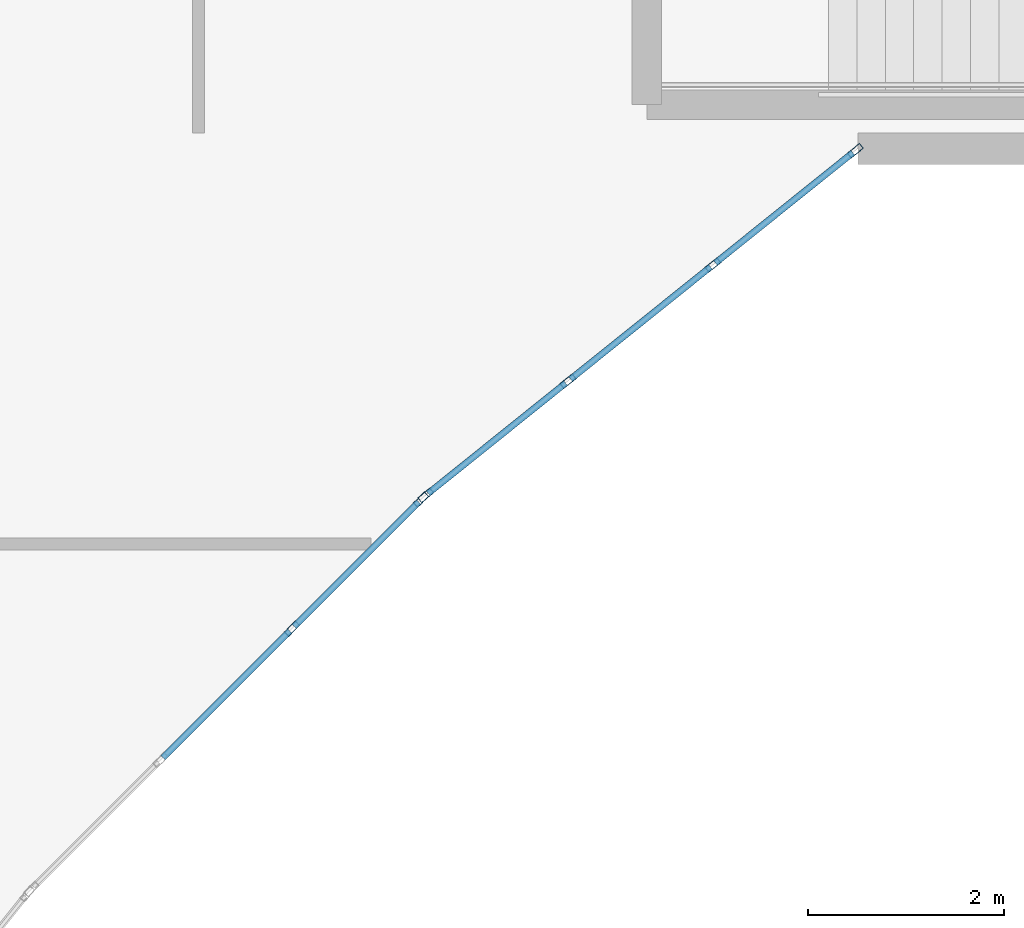
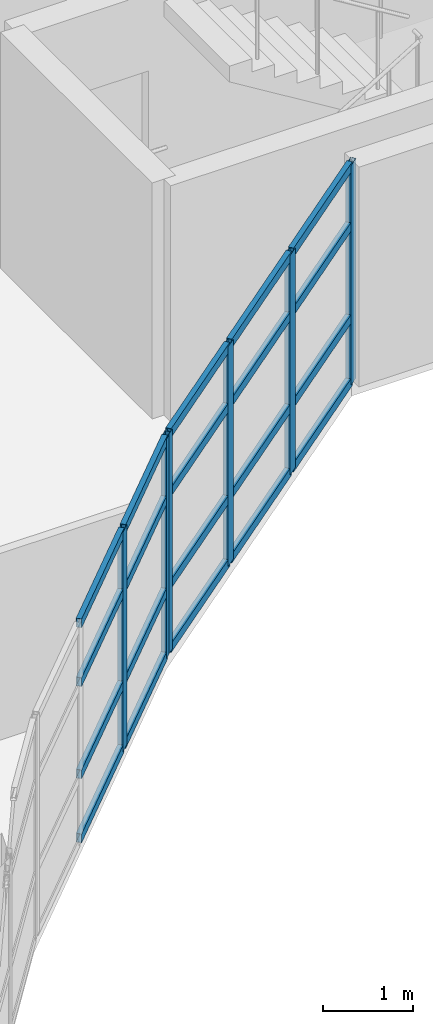
# One storey, part 16 of 71: 26 members, 2 elements without a shape of their own.
"""IFC4 building model written with IfcOpenShell, lengths in metres."""

from ifc_helpers import new_model, si_unit, direction, frame, origin, origin_2d, place, context, subcontext, project, spatial, hollow_rectangle, extrude, material, layer, layer_set, material_profile, profile_set, type_object, element, aggregate, save


model = new_model("IFC4")

# Units and contexts
model_context = context("Model", 3, precision=1e-05, world=origin(), true_north=direction((0.0, 1.0)))
body_context = subcontext(model_context, "Body", "Model", "MODEL_VIEW")
ifc_project = project(units=[si_unit("LENGTHUNIT", "METRE"), si_unit("AREAUNIT", "SQUARE_METRE"), si_unit("VOLUMEUNIT", "CUBIC_METRE"), si_unit("PLANEANGLEUNIT", "RADIAN"), si_unit("MASSUNIT", "GRAM", prefix="KILO")], contexts=[model_context])

# Site, building, storey
site_placement = place(None, origin())
site = spatial("IfcSite", under=ifc_project, at=site_placement, CompositionType="ELEMENT")
building_placement = place(site_placement, origin())
building = spatial("IfcBuilding", under=site, at=building_placement, Name="Keldmere Railside Commons", CompositionType="ELEMENT")
storey_placement = place(building_placement, frame((0.0, 0.0, 20.159912109375)))
storey = spatial("IfcBuildingStorey", under=building, at=storey_placement, Name="L06", CompositionType="ELEMENT", Elevation=20.159912109375)

# Curtain wall, members
ifc_material = material(Name="Thermally Broken Aluminium", Category="aluminium")
ifc_layer_1 = layer(ifc_material, 0.159912109375, Name="Court Chord Wintergarden CW 5400x2850")
ifc_layer_set_1 = layer_set([ifc_layer_1], Name="Thermally Broken Aluminium")
curtain_wall_type_1 = type_object("IfcCurtainWallType", Name="Court Chord Wintergarden CW 5400x2850", PredefinedType="NOTDEFINED", material=ifc_layer_set_1)
curtain_wall_1_placement = place(storey_placement, origin())
curtain_wall_1 = element("IfcCurtainWall", 1, at=curtain_wall_1_placement, inside=storey, type_object=curtain_wall_type_1, Name="CW-13 CW-L06-122", PredefinedType="NOTDEFINED")
ifc_material_profile_1 = material_profile(ifc_material, hollow_rectangle(XDim=0.06494140625, YDim=0.159912109375, WallThickness=0.00390625, at=origin_2d()), Name="ALU-MULL-65x160")
ifc_profile_set_1 = profile_set([ifc_material_profile_1], Name="Thermally Broken Aluminium")
member_type_1 = type_object("IfcMemberType", Name="Unitised Curtain Wall Mullion 65x160", PredefinedType="MULLION", material=ifc_profile_set_1)
member_1_placement = place(storey_placement, frame((127.547119140625, 96.423095703125, 0.0), z_axis=(0.0, 0.0, 1.0), x_axis=(0.707106781187, -0.707106781187, 0.0)))
member_1 = element("IfcMember", 2, at=member_1_placement, type_object=member_type_1, Name="CW-13 mullion 1", PredefinedType="MULLION", context=body_context, shape_type="SweptSolid", body=[
    extrude(hollow_rectangle(XDim=0.06494140625, YDim=0.159912109375, WallThickness=0.00390625, at=origin_2d()), origin(), (0.0, 0.0, 1.0), 2.97998046875),
])
member_2_placement = place(storey_placement, frame((126.2314453125, 95.107421875, 0.0), z_axis=(0.0, 0.0, 1.0), x_axis=(0.707106781187, -0.707106781187, 0.0)))
member_2 = element("IfcMember", 3, at=member_2_placement, type_object=member_type_1, Name="CW-13 mullion 2", PredefinedType="MULLION", context=body_context, shape_type="SweptSolid", body=[
    extrude(hollow_rectangle(XDim=0.06494140625, YDim=0.159912109375, WallThickness=0.00390625, at=origin_2d()), origin(), (0.0, 0.0, 1.0), 2.97998046875),
])

ifc_layer_2 = layer(ifc_material, 0.159912109375, Name="Court Chord Wintergarden CW 4800x2850")
ifc_layer_set_2 = layer_set([ifc_layer_2], Name="Thermally Broken Aluminium")
curtain_wall_type_2 = type_object("IfcCurtainWallType", Name="Court Chord Wintergarden CW 4800x2850", PredefinedType="NOTDEFINED", material=ifc_layer_set_2)
curtain_wall_2_placement = place(storey_placement, origin())
curtain_wall_2 = element("IfcCurtainWall", 4, at=curtain_wall_2_placement, inside=storey, type_object=curtain_wall_type_2, Name="CW-12 CW-L06-123", PredefinedType="NOTDEFINED")
member_3_placement = place(storey_placement, frame((131.974609375, 99.979736328125, 0.0), z_axis=(0.0, 0.0, 1.0), x_axis=(0.625768080915, -0.780009172323, 0.0)))
member_3 = element("IfcMember", 5, at=member_3_placement, type_object=member_type_1, Name="CW-12 mullion 1", PredefinedType="MULLION", context=body_context, shape_type="SweptSolid", body=[
    extrude(hollow_rectangle(XDim=0.06494140625, YDim=0.159912109375, WallThickness=0.00390625, at=origin_2d()), origin(), (0.0, 0.0, 1.0), 2.97998046875),
])
member_4_placement = place(storey_placement, frame((130.5234375, 98.8154296875, 0.0), z_axis=(0.0, 0.0, 1.0), x_axis=(0.625768080915, -0.780009172323, 0.0)))
member_4 = element("IfcMember", 6, at=member_4_placement, type_object=member_type_1, Name="CW-12 mullion 2", PredefinedType="MULLION", context=body_context, shape_type="SweptSolid", body=[
    extrude(hollow_rectangle(XDim=0.06494140625, YDim=0.159912109375, WallThickness=0.00390625, at=origin_2d()), origin(), (0.0, 0.0, 1.0), 2.97998046875),
])
member_5_placement = place(storey_placement, frame((129.046630859375, 97.630615234375, 0.0), z_axis=(0.0, 0.0, 1.0), x_axis=(0.625768080915, -0.780009172323, 0.0)))
member_5 = element("IfcMember", 7, at=member_5_placement, type_object=member_type_1, Name="CW-12 mullion 3", PredefinedType="MULLION", context=body_context, shape_type="SweptSolid", body=[
    extrude(hollow_rectangle(XDim=0.06494140625, YDim=0.159912109375, WallThickness=0.00390625, at=origin_2d()), origin(), (0.0, 0.0, 1.0), 2.97998046875),
])
member_6_placement = place(storey_placement, frame((127.595458984375, 96.46630859375, 0.0), z_axis=(0.0, 0.0, 1.0), x_axis=(0.625768080915, -0.780009172323, 0.0)))
member_6 = element("IfcMember", 8, at=member_6_placement, type_object=member_type_1, Name="CW-12 mullion 4", PredefinedType="MULLION", context=body_context, shape_type="SweptSolid", body=[
    extrude(hollow_rectangle(XDim=0.06494140625, YDim=0.159912109375, WallThickness=0.00390625, at=origin_2d()), origin(), (0.0, 0.0, 1.0), 2.97998046875),
])

# Member
ifc_material_profile_2 = material_profile(ifc_material, hollow_rectangle(XDim=0.06494140625, YDim=0.1201171875, WallThickness=0.00390625, at=origin_2d()), Name="ALU-TRAN-65x120")
ifc_profile_set_2 = profile_set([ifc_material_profile_2], Name="Thermally Broken Aluminium")
member_type_2 = type_object("IfcMemberType", Name="Unitised Curtain Wall Transom 65x120", PredefinedType="USERDEFINED", material=ifc_profile_set_2)
member_7_placement = place(storey_placement, frame((127.52392578125, 96.400146484375, 0.032470703125), z_axis=(-0.707038793419, -0.707174762418, 0.0), x_axis=(0.707174762418, -0.707038793419, 0.0)))
member_7 = element("IfcMember", 9, at=member_7_placement, type_object=member_type_2, Name="CW-13 transom 1.1", ObjectType="TRANSOM", PredefinedType="USERDEFINED", context=body_context, shape_type="SweptSolid", body=[
    extrude(hollow_rectangle(XDim=0.06494140625, YDim=0.1201171875, WallThickness=0.00390625, at=origin_2d()), origin(), (0.0, 0.0, 1.0), 1.795654296875),
])

member_8_placement = place(storey_placement, frame((127.52392578125, 96.400146484375, 0.900146484375), z_axis=(-0.707038793419, -0.707174762418, 0.0), x_axis=(0.707174762418, -0.707038793419, 0.0)))
member_8 = element("IfcMember", 10, at=member_8_placement, type_object=member_type_2, Name="CW-13 transom 1.2", ObjectType="TRANSOM", PredefinedType="USERDEFINED", context=body_context, shape_type="SweptSolid", body=[
    extrude(hollow_rectangle(XDim=0.06494140625, YDim=0.1201171875, WallThickness=0.00390625, at=origin_2d()), origin(), (0.0, 0.0, 1.0), 1.795654296875),
])

member_9_placement = place(storey_placement, frame((127.52392578125, 96.400146484375, 2.150146484375), z_axis=(-0.707038793419, -0.707174762418, 0.0), x_axis=(0.707174762418, -0.707038793419, 0.0)))
member_9 = element("IfcMember", 11, at=member_9_placement, type_object=member_type_2, Name="CW-13 transom 1.3", ObjectType="TRANSOM", PredefinedType="USERDEFINED", context=body_context, shape_type="SweptSolid", body=[
    extrude(hollow_rectangle(XDim=0.06494140625, YDim=0.1201171875, WallThickness=0.00390625, at=origin_2d()), origin(), (0.0, 0.0, 1.0), 1.795654296875),
])

member_10_placement = place(storey_placement, frame((127.52392578125, 96.400146484375, 2.947509765625), z_axis=(-0.707038793419, -0.707174762418, 0.0), x_axis=(0.707174762418, -0.707038793419, 0.0)))
member_10 = element("IfcMember", 12, at=member_10_placement, type_object=member_type_2, Name="CW-13 transom 1.4", ObjectType="TRANSOM", PredefinedType="USERDEFINED", context=body_context, shape_type="SweptSolid", body=[
    extrude(hollow_rectangle(XDim=0.06494140625, YDim=0.1201171875, WallThickness=0.00390625, at=origin_2d()), origin(), (0.0, 0.0, 1.0), 1.795654296875),
])

member_11_placement = place(storey_placement, frame((126.208251953125, 95.08447265625, 0.032470703125), z_axis=(-0.707106781187, -0.707106781187, 0.0), x_axis=(0.707106781187, -0.707106781187, 0.0)))
member_11 = element("IfcMember", 13, at=member_11_placement, type_object=member_type_2, Name="CW-13 transom 2.1", ObjectType="TRANSOM", PredefinedType="USERDEFINED", context=body_context, shape_type="SweptSolid", body=[
    extrude(hollow_rectangle(XDim=0.06494140625, YDim=0.1201171875, WallThickness=0.00390625, at=origin_2d()), origin(), (0.0, 0.0, 1.0), 1.828125),
])

member_12_placement = place(storey_placement, frame((126.208251953125, 95.08447265625, 0.900146484375), z_axis=(-0.707106781187, -0.707106781187, 0.0), x_axis=(0.707106781187, -0.707106781187, 0.0)))
member_12 = element("IfcMember", 14, at=member_12_placement, type_object=member_type_2, Name="CW-13 transom 2.2", ObjectType="TRANSOM", PredefinedType="USERDEFINED", context=body_context, shape_type="SweptSolid", body=[
    extrude(hollow_rectangle(XDim=0.06494140625, YDim=0.1201171875, WallThickness=0.00390625, at=origin_2d()), origin(), (0.0, 0.0, 1.0), 1.828125),
])

member_13_placement = place(storey_placement, frame((126.208251953125, 95.08447265625, 2.150146484375), z_axis=(-0.707106781187, -0.707106781187, 0.0), x_axis=(0.707106781187, -0.707106781187, 0.0)))
member_13 = element("IfcMember", 15, at=member_13_placement, type_object=member_type_2, Name="CW-13 transom 2.3", ObjectType="TRANSOM", PredefinedType="USERDEFINED", context=body_context, shape_type="SweptSolid", body=[
    extrude(hollow_rectangle(XDim=0.06494140625, YDim=0.1201171875, WallThickness=0.00390625, at=origin_2d()), origin(), (0.0, 0.0, 1.0), 1.828125),
])

member_14_placement = place(storey_placement, frame((126.208251953125, 95.08447265625, 2.947509765625), z_axis=(-0.707106781187, -0.707106781187, 0.0), x_axis=(0.707106781187, -0.707106781187, 0.0)))
member_14 = element("IfcMember", 16, at=member_14_placement, type_object=member_type_2, Name="CW-13 transom 2.4", ObjectType="TRANSOM", PredefinedType="USERDEFINED", context=body_context, shape_type="SweptSolid", body=[
    extrude(hollow_rectangle(XDim=0.06494140625, YDim=0.1201171875, WallThickness=0.00390625, at=origin_2d()), origin(), (0.0, 0.0, 1.0), 1.828125),
])

aggregate(curtain_wall_1, [member_1, member_2, member_7, member_8, member_9, member_10, member_11, member_12, member_13, member_14])

member_15_placement = place(storey_placement, frame((131.94921875, 99.959228515625, 0.032470703125), z_axis=(-0.780045694992, -0.625722553313, 0.0), x_axis=(0.625722553313, -0.780045694992, 0.0)))
member_15 = element("IfcMember", 17, at=member_15_placement, type_object=member_type_2, Name="CW-12 transom 1.1", ObjectType="TRANSOM", PredefinedType="USERDEFINED", context=body_context, shape_type="SweptSolid", body=[
    extrude(hollow_rectangle(XDim=0.06494140625, YDim=0.1201171875, WallThickness=0.00390625, at=origin_2d()), origin(), (0.0, 0.0, 1.0), 1.795654296875),
])

member_16_placement = place(storey_placement, frame((131.94921875, 99.959228515625, 0.900146484375), z_axis=(-0.780045694992, -0.625722553313, 0.0), x_axis=(0.625722553313, -0.780045694992, 0.0)))
member_16 = element("IfcMember", 18, at=member_16_placement, type_object=member_type_2, Name="CW-12 transom 1.2", ObjectType="TRANSOM", PredefinedType="USERDEFINED", context=body_context, shape_type="SweptSolid", body=[
    extrude(hollow_rectangle(XDim=0.06494140625, YDim=0.1201171875, WallThickness=0.00390625, at=origin_2d()), origin(), (0.0, 0.0, 1.0), 1.795654296875),
])

member_17_placement = place(storey_placement, frame((131.94921875, 99.959228515625, 2.150146484375), z_axis=(-0.780045694992, -0.625722553313, 0.0), x_axis=(0.625722553313, -0.780045694992, 0.0)))
member_17 = element("IfcMember", 19, at=member_17_placement, type_object=member_type_2, Name="CW-12 transom 1.3", ObjectType="TRANSOM", PredefinedType="USERDEFINED", context=body_context, shape_type="SweptSolid", body=[
    extrude(hollow_rectangle(XDim=0.06494140625, YDim=0.1201171875, WallThickness=0.00390625, at=origin_2d()), origin(), (0.0, 0.0, 1.0), 1.795654296875),
])

member_18_placement = place(storey_placement, frame((131.94921875, 99.959228515625, 2.947509765625), z_axis=(-0.780045694992, -0.625722553313, 0.0), x_axis=(0.625722553313, -0.780045694992, 0.0)))
member_18 = element("IfcMember", 20, at=member_18_placement, type_object=member_type_2, Name="CW-12 transom 1.4", ObjectType="TRANSOM", PredefinedType="USERDEFINED", context=body_context, shape_type="SweptSolid", body=[
    extrude(hollow_rectangle(XDim=0.06494140625, YDim=0.1201171875, WallThickness=0.00390625, at=origin_2d()), origin(), (0.0, 0.0, 1.0), 1.795654296875),
])

member_19_placement = place(storey_placement, frame((130.498046875, 98.794921875, 0.032470703125), z_axis=(-0.78007338409, -0.625688033635, 0.0), x_axis=(0.625688033635, -0.78007338409, 0.0)))
member_19 = element("IfcMember", 21, at=member_19_placement, type_object=member_type_2, Name="CW-12 transom 2.1", ObjectType="TRANSOM", PredefinedType="USERDEFINED", context=body_context, shape_type="SweptSolid", body=[
    extrude(hollow_rectangle(XDim=0.06494140625, YDim=0.1201171875, WallThickness=0.00390625, at=origin_2d()), origin(), (0.0, 0.0, 1.0), 1.828125),
])

member_20_placement = place(storey_placement, frame((130.498046875, 98.794921875, 0.900146484375), z_axis=(-0.78007338409, -0.625688033635, 0.0), x_axis=(0.625688033635, -0.78007338409, 0.0)))
member_20 = element("IfcMember", 22, at=member_20_placement, type_object=member_type_2, Name="CW-12 transom 2.2", ObjectType="TRANSOM", PredefinedType="USERDEFINED", context=body_context, shape_type="SweptSolid", body=[
    extrude(hollow_rectangle(XDim=0.06494140625, YDim=0.1201171875, WallThickness=0.00390625, at=origin_2d()), origin(), (0.0, 0.0, 1.0), 1.828125),
])

member_21_placement = place(storey_placement, frame((130.498046875, 98.794921875, 2.150146484375), z_axis=(-0.78007338409, -0.625688033635, 0.0), x_axis=(0.625688033635, -0.78007338409, 0.0)))
member_21 = element("IfcMember", 23, at=member_21_placement, type_object=member_type_2, Name="CW-12 transom 2.3", ObjectType="TRANSOM", PredefinedType="USERDEFINED", context=body_context, shape_type="SweptSolid", body=[
    extrude(hollow_rectangle(XDim=0.06494140625, YDim=0.1201171875, WallThickness=0.00390625, at=origin_2d()), origin(), (0.0, 0.0, 1.0), 1.828125),
])

member_22_placement = place(storey_placement, frame((130.498046875, 98.794921875, 2.947509765625), z_axis=(-0.78007338409, -0.625688033635, 0.0), x_axis=(0.625688033635, -0.78007338409, 0.0)))
member_22 = element("IfcMember", 24, at=member_22_placement, type_object=member_type_2, Name="CW-12 transom 2.4", ObjectType="TRANSOM", PredefinedType="USERDEFINED", context=body_context, shape_type="SweptSolid", body=[
    extrude(hollow_rectangle(XDim=0.06494140625, YDim=0.1201171875, WallThickness=0.00390625, at=origin_2d()), origin(), (0.0, 0.0, 1.0), 1.828125),
])

member_23_placement = place(storey_placement, frame((129.021240234375, 97.6103515625, 0.032470703125), z_axis=(-0.779979331565, -0.625805275091, 0.0), x_axis=(0.625805275091, -0.779979331565, 0.0)))
member_23 = element("IfcMember", 25, at=member_23_placement, type_object=member_type_2, Name="CW-12 transom 3.1", ObjectType="TRANSOM", PredefinedType="USERDEFINED", context=body_context, shape_type="SweptSolid", body=[
    extrude(hollow_rectangle(XDim=0.06494140625, YDim=0.1201171875, WallThickness=0.00390625, at=origin_2d()), origin(), (0.0, 0.0, 1.0), 1.795654296875),
])

member_24_placement = place(storey_placement, frame((129.021240234375, 97.6103515625, 0.900146484375), z_axis=(-0.779979331565, -0.625805275091, 0.0), x_axis=(0.625805275091, -0.779979331565, 0.0)))
member_24 = element("IfcMember", 26, at=member_24_placement, type_object=member_type_2, Name="CW-12 transom 3.2", ObjectType="TRANSOM", PredefinedType="USERDEFINED", context=body_context, shape_type="SweptSolid", body=[
    extrude(hollow_rectangle(XDim=0.06494140625, YDim=0.1201171875, WallThickness=0.00390625, at=origin_2d()), origin(), (0.0, 0.0, 1.0), 1.795654296875),
])

member_25_placement = place(storey_placement, frame((129.021240234375, 97.6103515625, 2.150146484375), z_axis=(-0.779979331565, -0.625805275091, 0.0), x_axis=(0.625805275091, -0.779979331565, 0.0)))
member_25 = element("IfcMember", 27, at=member_25_placement, type_object=member_type_2, Name="CW-12 transom 3.3", ObjectType="TRANSOM", PredefinedType="USERDEFINED", context=body_context, shape_type="SweptSolid", body=[
    extrude(hollow_rectangle(XDim=0.06494140625, YDim=0.1201171875, WallThickness=0.00390625, at=origin_2d()), origin(), (0.0, 0.0, 1.0), 1.795654296875),
])

member_26_placement = place(storey_placement, frame((129.021240234375, 97.6103515625, 2.947509765625), z_axis=(-0.779979331565, -0.625805275091, 0.0), x_axis=(0.625805275091, -0.779979331565, 0.0)))
member_26 = element("IfcMember", 28, at=member_26_placement, type_object=member_type_2, Name="CW-12 transom 3.4", ObjectType="TRANSOM", PredefinedType="USERDEFINED", context=body_context, shape_type="SweptSolid", body=[
    extrude(hollow_rectangle(XDim=0.06494140625, YDim=0.1201171875, WallThickness=0.00390625, at=origin_2d()), origin(), (0.0, 0.0, 1.0), 1.795654296875),
])

aggregate(curtain_wall_2, [member_3, member_4, member_5, member_6, member_15, member_16, member_17, member_18, member_19, member_20, member_21, member_22, member_23, member_24, member_25, member_26])

save(model, "model.ifc")
